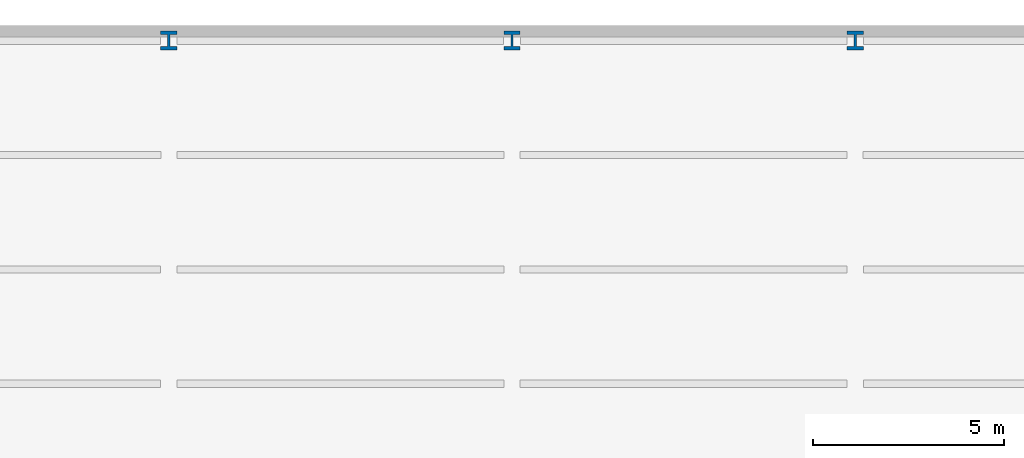
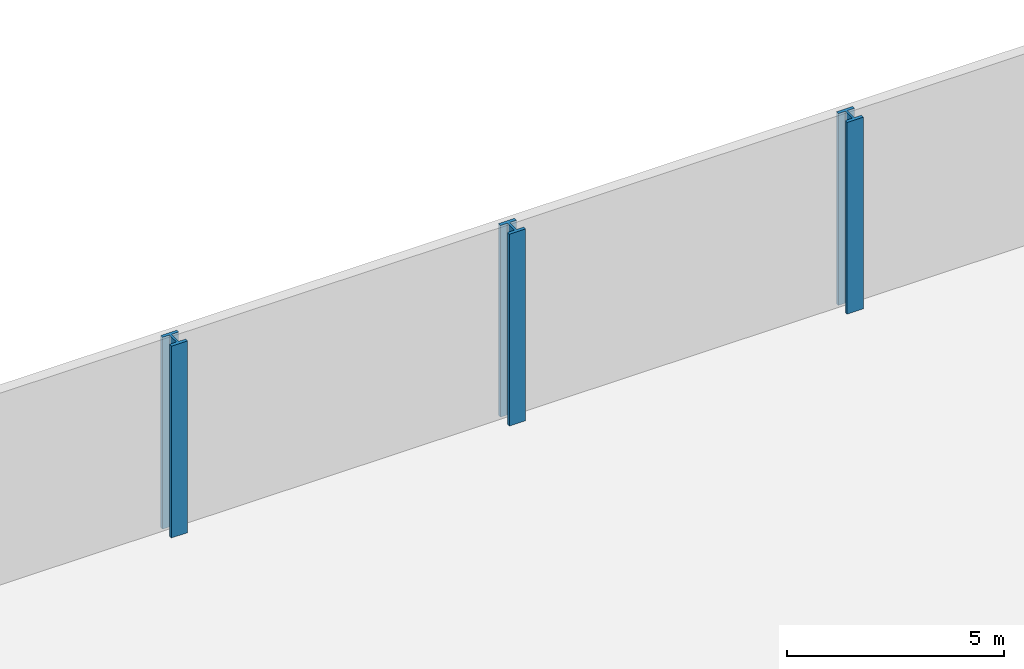
# One storey, part 6 of 52: 3 columns.
"""IFC4 building model written with IfcOpenShell, lengths in metres."""

from ifc_helpers import new_model, si_unit, direction, frame, origin, origin_2d, place, context, subcontext, project, spatial, i_section, extrude, material, material_profile, profile_set, type_object, element, save


model = new_model("IFC4")

# Units and contexts
model_context = context("Model", 3, precision=1e-05, world=origin(), true_north=direction((0.0, 1.0)))
body_context = subcontext(model_context, "Body", "Model", "MODEL_VIEW")
ifc_project = project(units=[si_unit("LENGTHUNIT", "METRE"), si_unit("AREAUNIT", "SQUARE_METRE"), si_unit("VOLUMEUNIT", "CUBIC_METRE"), si_unit("PLANEANGLEUNIT", "RADIAN"), si_unit("MASSUNIT", "GRAM", prefix="KILO")], contexts=[model_context])

# Site, building, storey
site_placement = place(None, origin())
site = spatial("IfcSite", under=ifc_project, at=site_placement, CompositionType="ELEMENT")
building_placement = place(site_placement, origin())
building = spatial("IfcBuilding", under=site, at=building_placement, Name="Azimuth Sports and Learning Centre", CompositionType="ELEMENT")
storey_placement = place(building_placement, frame((0.0, 0.0, 16.199951171875)))
storey = spatial("IfcBuildingStorey", under=building, at=storey_placement, Name="L03", CompositionType="ELEMENT", Elevation=16.199951171875)

# Columns
ifc_material = material(Name="Steel S460", Category="steel")
ifc_material_profile = material_profile(ifc_material, i_section(OverallWidth=0.431884765625, OverallDepth=0.498046875, WebThickness=0.0556640625, FlangeThickness=0.0888671875, FilletRadius=0.014892578125, at=origin_2d()), Name="HD 400x744")
ifc_profile_set = profile_set([ifc_material_profile], Name="Steel S460")
column_type = type_object("IfcColumnType", Name="Column HD 400x744", PredefinedType="COLUMN", material=ifc_profile_set)
for number, where, z_axis, x_axis, name in (
    (1, (72.0, 117.0, 0.0), (0.0, 0.0, 1.0), (1.0, 0.0, 0.0), "Column 9P L03"),
    (2, (81.0, 117.0, 0.0), (0.0, 0.0, 1.0), (1.0, 0.0, 0.0), "Column 10P L03"),
    (3, (90.0, 117.0, 0.0), (0.0, 0.0, 1.0), (1.0, 0.0, 0.0), "Column 11P L03"),
):
    element("IfcColumn", number, at=place(storey_placement, frame(where, z_axis=z_axis, x_axis=x_axis)), inside=storey, type_object=column_type, Name=name, PredefinedType="COLUMN", context=body_context, shape_type="SweptSolid", body=[
        extrude(i_section(OverallWidth=0.431884765625, OverallDepth=0.498046875, WebThickness=0.0556640625, FlangeThickness=0.0888671875, FilletRadius=0.014892578125, at=origin_2d()), origin(), (0.0, 0.0, 1.0), 5.400146484375),
    ])

save(model, "model.ifc")
